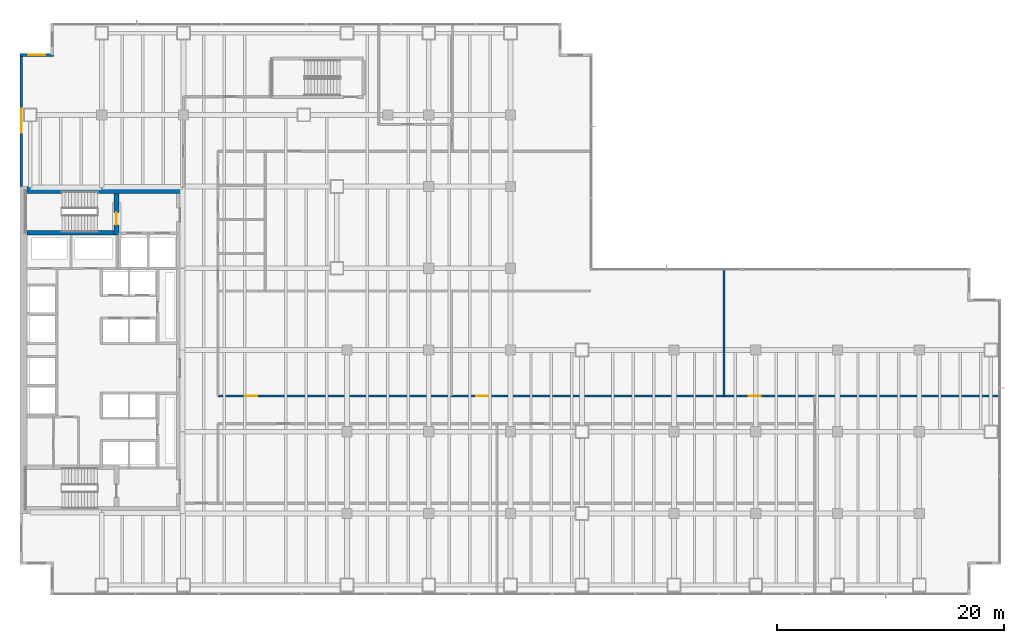
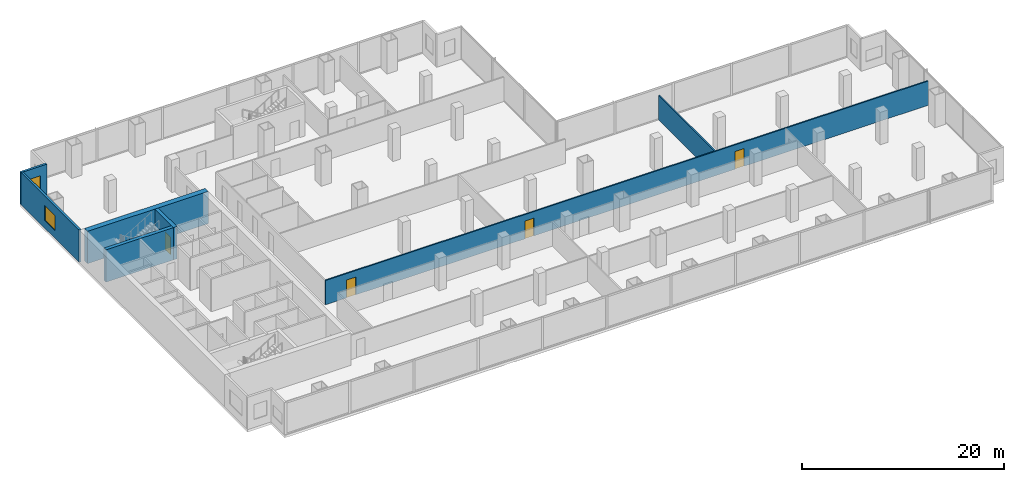
# One storey, part 24 of 31: 7 walls, 4 doors, 2 windows, 6 openings.
"""IFC4 building model written with IfcOpenShell, lengths in metres."""

from ifc_helpers import new_model, si_unit, direction, frame, frame_2d, origin, place, context, subcontext, project, spatial, rectangle, extrude, material, layer, layer_set, type_object, element, fill, save


model = new_model("IFC4")

# Units and contexts
model_context = context("Model", 3, precision=1e-05, world=origin(), true_north=direction((0.0, 1.0)))
body_context = subcontext(model_context, "Body", "Model", "MODEL_VIEW")
ifc_project = project(units=[si_unit("LENGTHUNIT", "METRE"), si_unit("AREAUNIT", "SQUARE_METRE"), si_unit("VOLUMEUNIT", "CUBIC_METRE"), si_unit("PLANEANGLEUNIT", "RADIAN"), si_unit("MASSUNIT", "GRAM", prefix="KILO")], contexts=[model_context])

# Site, building, storey
site_placement = place(None, origin())
site = spatial("IfcSite", under=ifc_project, at=site_placement, CompositionType="ELEMENT")
building_placement = place(site_placement, origin())
building = spatial("IfcBuilding", under=site, at=building_placement, Name="Cobrela Telecom Tower", CompositionType="ELEMENT")
storey_placement = place(building_placement, frame((0.0, 0.0, 9.449951171875)))
storey = spatial("IfcBuildingStorey", under=building, at=storey_placement, Name="L02", CompositionType="ELEMENT", Elevation=9.449951171875)

# Wall
ifc_material_1 = material(Name="Concrete C50/60", Category="concrete")
ifc_layer_1 = layer(ifc_material_1, 0.60009765625)
ifc_layer_set_1 = layer_set([ifc_layer_1], Name="Concrete C50/60")
wall_type_1 = type_object("IfcWallType", Name="WALL-CORE-C50-600", PredefinedType="SHEAR", material=ifc_layer_set_1)
wall_1_placement = place(storey_placement, frame((0.60009765625, 35.699951171875, 0.0), z_axis=(0.0, 0.0, 1.0), x_axis=(1.0, 0.0, 0.0)))
element("IfcWall", 1, at=wall_1_placement, inside=storey, type_object=wall_type_1, Name="L02 North Core Shear Wall", PredefinedType="SHEAR", context=body_context, shape_type="SweptSolid", body=[
    extrude(rectangle(XDim=13.7998046875, YDim=0.60009765625, at=frame_2d((6.89990234375, 0.0))), origin(), (0.0, 0.0, 1.0), 3.900146484375),
])

# Wall, opening, window
ifc_material_2 = material(Name="Concrete C40/50", Category="concrete")
ifc_layer_2 = layer(ifc_material_2, 0.239990234375)
ifc_layer_set_2 = layer_set([ifc_layer_2], Name="Concrete C40/50")
wall_type_2 = type_object("IfcWallType", Name="WALL-EXT-300", PredefinedType="STANDARD", material=ifc_layer_set_2)
wall_2_placement = place(storey_placement, frame((0.1201171875, 36.0, 0.0), z_axis=(0.0, 0.0, 1.0), x_axis=(0.0, 1.0, 0.0)))
wall_2 = element("IfcWall", 2, at=wall_2_placement, inside=storey, type_object=wall_type_2, Name="L02 Insulated Facade Wall 04", PredefinedType="STANDARD", context=body_context, shape_type="SweptSolid", body=[
    extrude(rectangle(XDim=11.580078125, YDim=0.239990234375, at=frame_2d((5.7900390625, 0.0))), origin(), (0.0, 0.0, 1.0), 3.900146484375),
])
opening_1_placement = place(wall_2_placement, frame((4.739990234375, 0.0, 0.949951171875)))
opening_1 = element("IfcOpeningElement", 3, at=opening_1_placement, cuts=wall_2, Name="Opening WN-21", PredefinedType="OPENING", context=body_context, shape_type="SweptSolid", body=[
    extrude(rectangle(XDim=2.10009765625, YDim=1.800048828125, at=frame_2d((1.050048828125, 0.89990234375))), frame((0.0, 0.1318359375, 0.0), z_axis=(0.0, -1.0, 0.0), x_axis=(1.0, 0.0, 0.0)), (0.0, 0.0, 1.0), 0.263916015625),
])
ifc_material_3 = material(Name="Solar-Control Bronze Low-E Glass", Category="glass")
window_type_1 = type_object("IfcWindowType", Name="WIN-MOD-2100", PartitioningType="SINGLE_PANEL", PredefinedType="WINDOW", material=ifc_material_3)
window_1_placement = place(opening_1_placement, origin())
window_1 = element("IfcWindow", 4, at=window_1_placement, inside=storey, type_object=window_type_1, Name="L02 Modular Punched Facade Window 006", OverallHeight=1.800048828125, OverallWidth=2.10009765625, PartitioningType="SINGLE_PANEL", PredefinedType="WINDOW", context=body_context, shape_type="SweptSolid", body=[
    extrude(rectangle(XDim=2.10009765625, YDim=1.800048828125, at=frame_2d((1.050048828125, 0.89990234375))), frame((0.0, 0.030029296875, 0.0), z_axis=(0.0, -1.0, 0.0), x_axis=(1.0, 0.0, 0.0)), (0.0, 0.0, 1.0), 0.06005859375),
])
fill(opening_1, window_1)

wall_3_placement = place(storey_placement, frame((0.0, 47.580078125, 0.0), z_axis=(0.0, 0.0, 1.0), x_axis=(1.0, 0.0, 0.0)))
wall_3 = element("IfcWall", 5, at=wall_3_placement, inside=storey, type_object=wall_type_2, Name="L02 Insulated Facade Wall 05", PredefinedType="STANDARD", context=body_context, shape_type="SweptSolid", body=[
    extrude(rectangle(XDim=2.93994140625, YDim=0.239990234375, at=frame_2d((1.469970703125, 0.0))), origin(), (0.0, 0.0, 1.0), 3.900146484375),
])
opening_2_placement = place(wall_3_placement, frame((0.719970703125, 0.0, 0.949951171875)))
opening_2 = element("IfcOpeningElement", 6, at=opening_2_placement, cuts=wall_3, Name="Opening WN-45", PredefinedType="OPENING", context=body_context, shape_type="SweptSolid", body=[
    extrude(rectangle(XDim=1.5, YDim=1.800048828125, at=frame_2d((0.75, 0.89990234375))), frame((0.0, 0.1318359375, 0.0), z_axis=(0.0, -1.0, 0.0), x_axis=(1.0, 0.0, 0.0)), (0.0, 0.0, 1.0), 0.263916015625),
])
window_type_2 = type_object("IfcWindowType", Name="WIN-MOD-1500", PartitioningType="SINGLE_PANEL", PredefinedType="WINDOW", material=ifc_material_3)
window_2_placement = place(opening_2_placement, origin())
window_2 = element("IfcWindow", 7, at=window_2_placement, inside=storey, type_object=window_type_2, Name="L02 Corner Notch Facade Window 007", OverallHeight=1.800048828125, OverallWidth=1.5, PartitioningType="SINGLE_PANEL", PredefinedType="WINDOW", context=body_context, shape_type="SweptSolid", body=[
    extrude(rectangle(XDim=1.5, YDim=1.800048828125, at=frame_2d((0.75, 0.89990234375))), frame((0.0, 0.030029296875, 0.0), z_axis=(0.0, -1.0, 0.0), x_axis=(1.0, 0.0, 0.0)), (0.0, 0.0, 1.0), 0.06005859375),
])
fill(opening_2, window_2)

# Wall, openings, doors
ifc_material_4 = material(Name="Fire-Rated Gypsum Plasterboard")
ifc_layer_3 = layer(ifc_material_4, 0.14990234375)
ifc_layer_set_3 = layer_set([ifc_layer_3], Name="Fire-Rated Gypsum Plasterboard")
wall_type_3 = type_object("IfcWallType", Name="WALL-PART-150", PredefinedType="PARTITIONING", material=ifc_layer_set_3)
wall_4_placement = place(storey_placement, frame((17.449951171875, 17.550048828125, 0.0), z_axis=(0.0, 0.0, 1.0), x_axis=(1.0, 0.0, 0.0)))
wall_4 = element("IfcWall", 8, at=wall_4_placement, inside=storey, type_object=wall_type_3, Name="L02 Interior Partition W-PC-HN", PredefinedType="PARTITIONING", context=body_context, shape_type="SweptSolid", body=[
    extrude(rectangle(XDim=68.830078125, YDim=0.14990234375, at=frame_2d((34.4150390625, 0.0))), origin(), (0.0, 0.0, 1.0), 2.93798828125),
])
opening_3_placement = place(wall_4_placement, frame((2.39990234375, 0.0, 0.0)))
opening_3 = element("IfcOpeningElement", 9, at=opening_3_placement, cuts=wall_4, Name="Opening DR-29", PredefinedType="OPENING", context=body_context, shape_type="SweptSolid", body=[
    extrude(rectangle(XDim=1.050048828125, YDim=2.14990234375, at=frame_2d((0.52490234375, 1.074951171875))), frame((0.0, 0.0869140625, 0.0), z_axis=(0.0, -1.0, 0.0), x_axis=(1.0, 0.0, 0.0)), (0.0, 0.0, 1.0), 0.173828125),
])
opening_4_placement = place(wall_4_placement, frame((22.75, 0.0, 0.0)))
opening_4 = element("IfcOpeningElement", 10, at=opening_4_placement, cuts=wall_4, Name="Opening DR-29", PredefinedType="OPENING", context=body_context, shape_type="SweptSolid", body=[
    extrude(rectangle(XDim=1.050048828125, YDim=2.14990234375, at=frame_2d((0.52490234375, 1.074951171875))), frame((0.0, 0.0869140625, 0.0), z_axis=(0.0, -1.0, 0.0), x_axis=(1.0, 0.0, 0.0)), (0.0, 0.0, 1.0), 0.173828125),
])
opening_5_placement = place(wall_4_placement, frame((46.75, 0.0, 0.0)))
opening_5 = element("IfcOpeningElement", 11, at=opening_5_placement, cuts=wall_4, Name="Opening DR-29", PredefinedType="OPENING", context=body_context, shape_type="SweptSolid", body=[
    extrude(rectangle(XDim=1.050048828125, YDim=2.14990234375, at=frame_2d((0.52490234375, 1.074951171875))), frame((0.0, 0.0869140625, 0.0), z_axis=(0.0, -1.0, 0.0), x_axis=(1.0, 0.0, 0.0)), (0.0, 0.0, 1.0), 0.173828125),
])
ifc_material_5 = material(Name="Solid Engineered Oak Timber", Category="wood")
door_type_1 = type_object("IfcDoorType", Name="DOOR-INT-1050", OperationType="SINGLE_SWING_LEFT", PredefinedType="DOOR", material=ifc_material_5)
door_1_placement = place(opening_3_placement, origin())
door_1 = element("IfcDoor", 12, at=door_1_placement, inside=storey, type_object=door_type_1, Name="L02 Door DR-29", OperationType="SINGLE_SWING_LEFT", OverallHeight=2.14990234375, OverallWidth=1.050048828125, PredefinedType="DOOR", context=body_context, shape_type="SweptSolid", body=[
    extrude(rectangle(XDim=1.050048828125, YDim=2.14990234375, at=frame_2d((0.52490234375, 1.074951171875))), frame((0.0, 0.02490234375, 0.0), z_axis=(0.0, -1.0, 0.0), x_axis=(1.0, 0.0, 0.0)), (0.0, 0.0, 1.0), 0.050048828125),
])
fill(opening_3, door_1)
door_2_placement = place(opening_4_placement, origin())
door_2 = element("IfcDoor", 13, at=door_2_placement, inside=storey, type_object=door_type_1, Name="L02 Door DR-29", OperationType="SINGLE_SWING_RIGHT", OverallHeight=2.14990234375, OverallWidth=1.050048828125, PredefinedType="DOOR", context=body_context, shape_type="SweptSolid", body=[
    extrude(rectangle(XDim=1.050048828125, YDim=2.14990234375, at=frame_2d((0.52490234375, 1.074951171875))), frame((0.0, 0.02490234375, 0.0), z_axis=(0.0, -1.0, 0.0), x_axis=(1.0, 0.0, 0.0)), (0.0, 0.0, 1.0), 0.050048828125),
])
fill(opening_4, door_2)
door_3_placement = place(opening_5_placement, origin())
door_3 = element("IfcDoor", 14, at=door_3_placement, inside=storey, type_object=door_type_1, Name="L02 Door DR-29", OperationType="SINGLE_SWING_LEFT", OverallHeight=2.14990234375, OverallWidth=1.050048828125, PredefinedType="DOOR", context=body_context, shape_type="SweptSolid", body=[
    extrude(rectangle(XDim=1.050048828125, YDim=2.14990234375, at=frame_2d((0.52490234375, 1.074951171875))), frame((0.0, 0.02490234375, 0.0), z_axis=(0.0, -1.0, 0.0), x_axis=(1.0, 0.0, 0.0)), (0.0, 0.0, 1.0), 0.050048828125),
])
fill(opening_5, door_3)

# Walls
wall_5_placement = place(storey_placement, frame((62.0, 17.550048828125, 0.0), z_axis=(0.0, 0.0, 1.0), x_axis=(0.0, 1.0, 0.0)))
element("IfcWall", 15, at=wall_5_placement, inside=storey, type_object=wall_type_3, Name="L02 Interior Partition W-POD-V2", PredefinedType="PARTITIONING", context=body_context, shape_type="SweptSolid", body=[
    extrude(rectangle(XDim=11.14990234375, YDim=0.14990234375, at=frame_2d((5.574951171875, 0.0))), origin(), (0.0, 0.0, 1.0), 2.93798828125),
])
ifc_layer_4 = layer(ifc_material_2, 0.39990234375)
ifc_layer_set_4 = layer_set([ifc_layer_4], Name="Concrete C40/50")
wall_type_4 = type_object("IfcWallType", Name="WALL-SHAFT-C40-400", PredefinedType="SHEAR", material=ifc_layer_set_4)
wall_6_placement = place(storey_placement, frame((0.60009765625, 31.919921875, 0.0), z_axis=(0.0, 0.0, 1.0), x_axis=(1.0, 0.0, 0.0)))
element("IfcWall", 16, at=wall_6_placement, inside=storey, type_object=wall_type_4, Name="L02 North Stair Shear Wall", PredefinedType="SHEAR", context=body_context, shape_type="SweptSolid", body=[
    extrude(rectangle(XDim=7.699951171875, YDim=0.39990234375, at=frame_2d((3.85009765625, 0.0))), origin(), (0.0, 0.0, 1.0), 3.900146484375),
])

# Wall, opening, door
wall_7_placement = place(storey_placement, frame((8.5, 31.719970703125, 0.0), z_axis=(0.0, 0.0, 1.0), x_axis=(0.0, 1.0, 0.0)))
wall_7 = element("IfcWall", 17, at=wall_7_placement, inside=storey, type_object=wall_type_4, Name="L02 North Stair Lobby Shear Wall", PredefinedType="SHEAR", context=body_context, shape_type="SweptSolid", body=[
    extrude(rectangle(XDim=3.679931640625, YDim=0.39990234375, at=frame_2d((1.83984375, 0.0))), origin(), (0.0, 0.0, 1.0), 3.900146484375),
])
opening_6_placement = place(wall_7_placement, frame((0.89990234375, 0.0, 0.0)))
opening_6 = element("IfcOpeningElement", 18, at=opening_6_placement, cuts=wall_7, Name="Opening DR-59", PredefinedType="OPENING", context=body_context, shape_type="SweptSolid", body=[
    extrude(rectangle(XDim=1.10009765625, YDim=2.14990234375, at=frame_2d((0.550048828125, 1.074951171875))), frame((0.0, 0.2119140625, 0.0), z_axis=(0.0, -1.0, 0.0), x_axis=(1.0, 0.0, 0.0)), (0.0, 0.0, 1.0), 0.423828125),
])
ifc_material_6 = material(Name="Steel ASTM A36", Category="steel")
door_type_2 = type_object("IfcDoorType", Name="DOOR-FD60-1100", OperationType="SINGLE_SWING_LEFT", PredefinedType="DOOR", material=ifc_material_6)
door_4_placement = place(opening_6_placement, origin())
door_4 = element("IfcDoor", 19, at=door_4_placement, inside=storey, type_object=door_type_2, Name="L02 Door DR-59", OperationType="SINGLE_SWING_RIGHT", OverallHeight=2.14990234375, OverallWidth=1.10009765625, PredefinedType="DOOR", context=body_context, shape_type="SweptSolid", body=[
    extrude(rectangle(XDim=1.10009765625, YDim=2.14990234375, at=frame_2d((0.550048828125, 1.074951171875))), frame((0.0, 0.02490234375, 0.0), z_axis=(0.0, -1.0, 0.0), x_axis=(1.0, 0.0, 0.0)), (0.0, 0.0, 1.0), 0.050048828125),
])
fill(opening_6, door_4)

save(model, "model.ifc")
